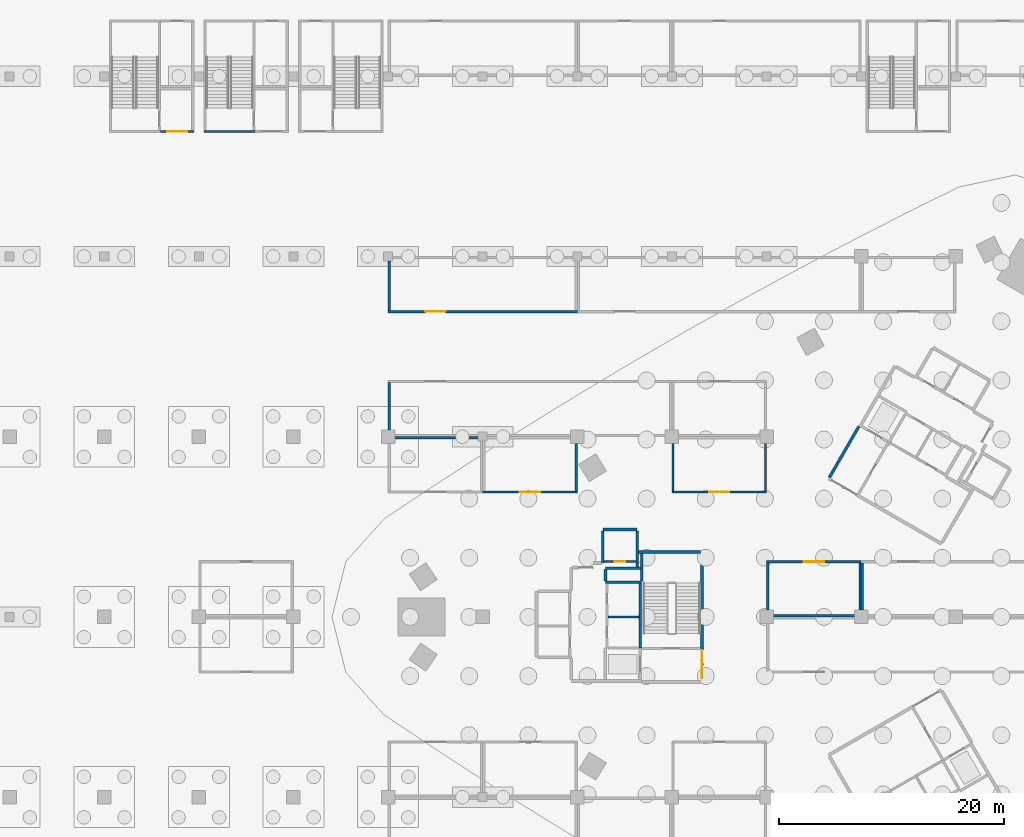
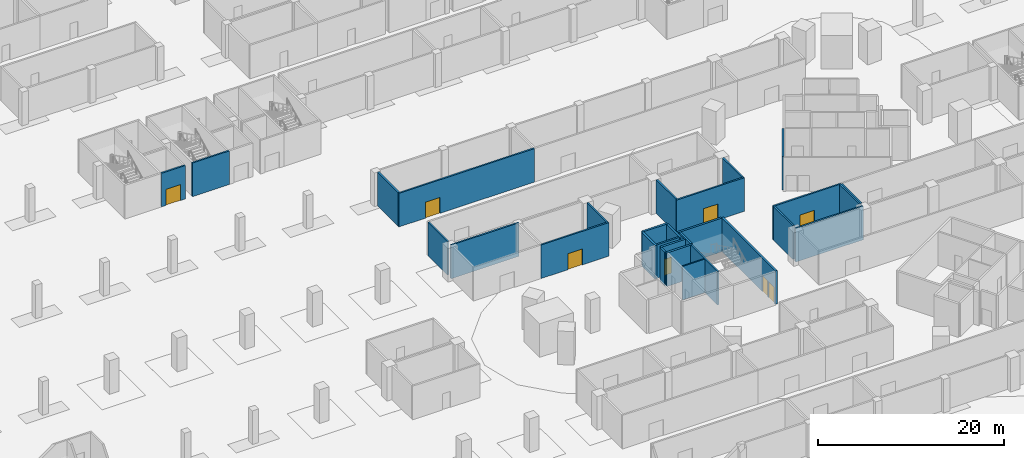
# One storey, part 14 of 46: 30 walls, 8 doors, 8 openings.
"""IFC4 building model written with IfcOpenShell, lengths in metres."""

from ifc_helpers import new_model, si_unit, direction, frame, frame_2d, origin, place, context, subcontext, project, spatial, rectangle, extrude, material, layer, layer_set, type_object, element, fill, save


model = new_model("IFC4")

# Units and contexts
model_context = context("Model", 3, precision=1e-05, world=origin(), true_north=direction((0.0, 1.0)))
body_context = subcontext(model_context, "Body", "Model", "MODEL_VIEW")
ifc_project = project(units=[si_unit("LENGTHUNIT", "METRE"), si_unit("AREAUNIT", "SQUARE_METRE"), si_unit("VOLUMEUNIT", "CUBIC_METRE"), si_unit("PLANEANGLEUNIT", "RADIAN"), si_unit("MASSUNIT", "GRAM", prefix="KILO")], contexts=[model_context])

# Site, building, storey
site_placement = place(None, origin())
site = spatial("IfcSite", under=ifc_project, at=site_placement, CompositionType="ELEMENT")
building_placement = place(site_placement, origin())
building = spatial("IfcBuilding", under=site, at=building_placement, Name="Tamra Quay Hotel Tower", CompositionType="ELEMENT")
storey_placement = place(building_placement, frame((0.0, 0.0, -12.0)))
storey = spatial("IfcBuildingStorey", under=building, at=storey_placement, Name="B3", CompositionType="ELEMENT", Elevation=-12.0)

# Wall
ifc_material_1 = material(Name="Blockwork", Category="masonry")
ifc_layer_1 = layer(ifc_material_1, 0.199951171875)
ifc_layer_set_1 = layer_set([ifc_layer_1], Name="Car park room wall 200")
wall_type_1 = type_object("IfcWallType", Name="Car park room wall 200", PredefinedType="PARTITIONING", material=ifc_layer_set_1)
wall_1_placement = place(storey_placement, frame((-5.10009765625, 0.10009765625, 0.0), z_axis=(0.0, 0.0, 1.0), x_axis=(1.0, 0.0, 0.0)))
element("IfcWall", 1, at=wall_1_placement, inside=storey, type_object=wall_type_1, Name="PW", PredefinedType="PARTITIONING", context=body_context, shape_type="SweptSolid", body=[
    extrude(rectangle(XDim=8.400146484375, YDim=0.199951171875, at=frame_2d((4.2001953125, 0.0))), origin(), (0.0, 0.0, 1.0), 4.39990234375),
])

# Wall, opening, door
wall_2_placement = place(storey_placement, frame((-5.10009765625, 4.89990234375, 0.0), z_axis=(0.0, 0.0, 1.0), x_axis=(1.0, 0.0, 0.0)))
wall_2 = element("IfcWall", 2, at=wall_2_placement, inside=storey, type_object=wall_type_1, Name="PW", PredefinedType="PARTITIONING", context=body_context, shape_type="SweptSolid", body=[
    extrude(rectangle(XDim=8.400146484375, YDim=0.199951171875, at=frame_2d((4.2001953125, 0.0))), origin(), (0.0, 0.0, 1.0), 4.39990234375),
])
opening_1_placement = place(wall_2_placement, frame((3.300048828125, 0.0, 0.0)))
opening_1 = element("IfcOpeningElement", 3, at=opening_1_placement, cuts=wall_2, Name="Opening PD2", PredefinedType="OPENING", context=body_context, shape_type="SweptSolid", body=[
    extrude(rectangle(XDim=1.800048828125, YDim=2.10009765625, at=frame_2d((0.89990234375, 1.050048828125))), frame((0.0, 0.10986328125, 0.0), z_axis=(0.0, -1.0, 0.0), x_axis=(1.0, 0.0, 0.0)), (0.0, 0.0, 1.0), 0.219970703125),
])
ifc_material_2 = material(Name="Plant door 1800 x 2100")
door_type_1 = type_object("IfcDoorType", Name="Plant door 1800 x 2100", OperationType="DOUBLE_DOOR_SINGLE_SWING", PredefinedType="DOOR", material=ifc_material_2)
door_1_placement = place(opening_1_placement, origin())
door_1 = element("IfcDoor", 4, at=door_1_placement, inside=storey, type_object=door_type_1, Name="PD2", OperationType="DOUBLE_DOOR_SINGLE_SWING", OverallHeight=2.10009765625, OverallWidth=1.800048828125, PredefinedType="DOOR", context=body_context, shape_type="SweptSolid", body=[
    extrude(rectangle(XDim=1.800048828125, YDim=2.10009765625, at=frame_2d((0.89990234375, 1.050048828125))), frame((0.0, 0.02490234375, 0.0), z_axis=(0.0, -1.0, 0.0), x_axis=(1.0, 0.0, 0.0)), (0.0, 0.0, 1.0), 0.050048828125),
])
fill(opening_1, door_1)

# Walls
for number, where, z_axis, x_axis, name in (
    (5, (-5.0, 0.60009765625, 0.0), (0.0, 0.0, 1.0), (0.0, 1.0, 0.0), "PW"),
    (6, (3.199951171875, 0.60009765625, 0.0), (0.0, 0.0, 1.0), (0.0, 1.0, 0.0), "PW"),
    (7, (3.39990234375, 0.60009765625, 0.0), (0.0, 0.0, 1.0), (0.0, 1.0, 0.0), "PW"),
):
    element("IfcWall", number, at=place(storey_placement, frame(where, z_axis=z_axis, x_axis=x_axis)), inside=storey, type_object=wall_type_1, Name=name, PredefinedType="PARTITIONING", context=body_context, shape_type="SweptSolid", body=[
        extrude(rectangle(XDim=4.199951171875, YDim=0.199951171875, at=frame_2d((2.10009765625, 0.0))), origin(), (0.0, 0.0, 1.0), 4.39990234375),
    ])
wall_3_placement = place(storey_placement, frame((-38.699951171875, 15.89990234375, 0.0), z_axis=(0.0, 0.0, 1.0), x_axis=(1.0, 0.0, 0.0)))
element("IfcWall", 8, at=wall_3_placement, inside=storey, type_object=wall_type_1, Name="PW", PredefinedType="PARTITIONING", context=body_context, shape_type="SweptSolid", body=[
    extrude(rectangle(XDim=8.39990234375, YDim=0.199951171875, at=frame_2d((4.199951171875, 0.0))), origin(), (0.0, 0.0, 1.0), 4.39990234375),
])

# Wall, opening, door
wall_4_placement = place(storey_placement, frame((-30.300048828125, 11.10009765625, 0.0), z_axis=(0.0, 0.0, 1.0), x_axis=(1.0, 0.0, 0.0)))
wall_4 = element("IfcWall", 9, at=wall_4_placement, inside=storey, type_object=wall_type_1, Name="PW", PredefinedType="PARTITIONING", context=body_context, shape_type="SweptSolid", body=[
    extrude(rectangle(XDim=8.400146484375, YDim=0.199951171875, at=frame_2d((4.2001953125, 0.0))), origin(), (0.0, 0.0, 1.0), 4.39990234375),
])
opening_2_placement = place(wall_4_placement, frame((3.300048828125, 0.0, 0.0)))
opening_2 = element("IfcOpeningElement", 10, at=opening_2_placement, cuts=wall_4, Name="Opening PD2", PredefinedType="OPENING", context=body_context, shape_type="SweptSolid", body=[
    extrude(rectangle(XDim=1.800048828125, YDim=2.10009765625, at=frame_2d((0.89990234375, 1.050048828125))), frame((0.0, 0.10986328125, 0.0), z_axis=(0.0, -1.0, 0.0), x_axis=(1.0, 0.0, 0.0)), (0.0, 0.0, 1.0), 0.219970703125),
])
door_2_placement = place(opening_2_placement, origin())
door_2 = element("IfcDoor", 11, at=door_2_placement, inside=storey, type_object=door_type_1, Name="PD2", OperationType="DOUBLE_DOOR_SINGLE_SWING", OverallHeight=2.10009765625, OverallWidth=1.800048828125, PredefinedType="DOOR", context=body_context, shape_type="SweptSolid", body=[
    extrude(rectangle(XDim=1.800048828125, YDim=2.10009765625, at=frame_2d((0.89990234375, 1.050048828125))), frame((0.0, 0.02490234375, 0.0), z_axis=(0.0, -1.0, 0.0), x_axis=(1.0, 0.0, 0.0)), (0.0, 0.0, 1.0), 0.050048828125),
])
fill(opening_2, door_2)

# Wall
wall_5_placement = place(storey_placement, frame((-22.0, 11.199951171875, 0.0), z_axis=(0.0, 0.0, 1.0), x_axis=(0.0, 1.0, 0.0)))
element("IfcWall", 12, at=wall_5_placement, inside=storey, type_object=wall_type_1, Name="PW", PredefinedType="PARTITIONING", context=body_context, shape_type="SweptSolid", body=[
    extrude(rectangle(XDim=4.199951171875, YDim=0.199951171875, at=frame_2d((2.10009765625, 0.0))), origin(), (0.0, 0.0, 1.0), 4.39990234375),
])

# Wall, opening, door
wall_6_placement = place(storey_placement, frame((-13.5, 11.10009765625, 0.0), z_axis=(0.0, 0.0, 1.0), x_axis=(1.0, 0.0, 0.0)))
wall_6 = element("IfcWall", 13, at=wall_6_placement, inside=storey, type_object=wall_type_1, Name="PW", PredefinedType="PARTITIONING", context=body_context, shape_type="SweptSolid", body=[
    extrude(rectangle(XDim=8.39990234375, YDim=0.199951171875, at=frame_2d((4.199951171875, 0.0))), origin(), (0.0, 0.0, 1.0), 4.39990234375),
])
opening_3_placement = place(wall_6_placement, frame((3.300048828125, 0.0, 0.0)))
opening_3 = element("IfcOpeningElement", 14, at=opening_3_placement, cuts=wall_6, Name="Opening PD2", PredefinedType="OPENING", context=body_context, shape_type="SweptSolid", body=[
    extrude(rectangle(XDim=1.800048828125, YDim=2.10009765625, at=frame_2d((0.89990234375, 1.050048828125))), frame((0.0, 0.10986328125, 0.0), z_axis=(0.0, -1.0, 0.0), x_axis=(1.0, 0.0, 0.0)), (0.0, 0.0, 1.0), 0.219970703125),
])
door_3_placement = place(opening_3_placement, origin())
door_3 = element("IfcDoor", 15, at=door_3_placement, inside=storey, type_object=door_type_1, Name="PD2", OperationType="DOUBLE_DOOR_SINGLE_SWING", OverallHeight=2.10009765625, OverallWidth=1.800048828125, PredefinedType="DOOR", context=body_context, shape_type="SweptSolid", body=[
    extrude(rectangle(XDim=1.800048828125, YDim=2.10009765625, at=frame_2d((0.89990234375, 1.050048828125))), frame((0.0, 0.02490234375, 0.0), z_axis=(0.0, -1.0, 0.0), x_axis=(1.0, 0.0, 0.0)), (0.0, 0.0, 1.0), 0.050048828125),
])
fill(opening_3, door_3)

# Walls
for number, where, z_axis, x_axis, name in (
    (16, (-13.39990234375, 11.199951171875, 0.0), (0.0, 0.0, 1.0), (0.0, 1.0, 0.0), "PW"),
    (17, (-5.199951171875, 11.199951171875, 0.0), (0.0, 0.0, 1.0), (0.0, 1.0, 0.0), "PW"),
    (18, (-38.60009765625, 16.60009765625, 0.0), (0.0, 0.0, 1.0), (0.0, 1.0, 0.0), "PW"),
):
    element("IfcWall", number, at=place(storey_placement, frame(where, z_axis=z_axis, x_axis=x_axis)), inside=storey, type_object=wall_type_1, Name=name, PredefinedType="PARTITIONING", context=body_context, shape_type="SweptSolid", body=[
        extrude(rectangle(XDim=4.199951171875, YDim=0.199951171875, at=frame_2d((2.10009765625, 0.0))), origin(), (0.0, 0.0, 1.0), 4.39990234375),
    ])

# Wall, opening, door
wall_7_placement = place(storey_placement, frame((-38.699951171875, 27.10009765625, 0.0), z_axis=(0.0, 0.0, 1.0), x_axis=(1.0, 0.0, 0.0)))
wall_7 = element("IfcWall", 19, at=wall_7_placement, inside=storey, type_object=wall_type_1, Name="PW", PredefinedType="PARTITIONING", context=body_context, shape_type="SweptSolid", body=[
    extrude(rectangle(XDim=16.800048828125, YDim=0.199951171875, at=frame_2d((8.39990234375, 0.0))), origin(), (0.0, 0.0, 1.0), 4.39990234375),
])
opening_4_placement = place(wall_7_placement, frame((3.300048828125, 0.0, 0.0)))
opening_4 = element("IfcOpeningElement", 20, at=opening_4_placement, cuts=wall_7, Name="Opening PD2", PredefinedType="OPENING", context=body_context, shape_type="SweptSolid", body=[
    extrude(rectangle(XDim=1.800048828125, YDim=2.10009765625, at=frame_2d((0.89990234375, 1.050048828125))), frame((0.0, 0.10986328125, 0.0), z_axis=(0.0, -1.0, 0.0), x_axis=(1.0, 0.0, 0.0)), (0.0, 0.0, 1.0), 0.219970703125),
])
door_4_placement = place(opening_4_placement, origin())
door_4 = element("IfcDoor", 21, at=door_4_placement, inside=storey, type_object=door_type_1, Name="PD2", OperationType="DOUBLE_DOOR_SINGLE_SWING", OverallHeight=2.10009765625, OverallWidth=1.800048828125, PredefinedType="DOOR", context=body_context, shape_type="SweptSolid", body=[
    extrude(rectangle(XDim=1.800048828125, YDim=2.10009765625, at=frame_2d((0.89990234375, 1.050048828125))), frame((0.0, 0.02490234375, 0.0), z_axis=(0.0, -1.0, 0.0), x_axis=(1.0, 0.0, 0.0)), (0.0, 0.0, 1.0), 0.050048828125),
])
fill(opening_4, door_4)

# Wall
wall_8_placement = place(storey_placement, frame((-38.60009765625, 27.199951171875, 0.0), z_axis=(0.0, 0.0, 1.0), x_axis=(0.0, 1.0, 0.0)))
element("IfcWall", 22, at=wall_8_placement, inside=storey, type_object=wall_type_1, Name="PW", PredefinedType="PARTITIONING", context=body_context, shape_type="SweptSolid", body=[
    extrude(rectangle(XDim=4.400146484375, YDim=0.199951171875, at=frame_2d((2.2001953125, 0.0))), origin(), (0.0, 0.0, 1.0), 4.39990234375),
])

# Wall, opening, door
wall_9_placement = place(storey_placement, frame((-58.89990234375, 43.10009765625, 0.0), z_axis=(0.0, 0.0, 1.0), x_axis=(1.0, 0.0, 0.0)))
wall_9 = element("IfcWall", 23, at=wall_9_placement, inside=storey, type_object=wall_type_1, Name="PW", PredefinedType="PARTITIONING", context=body_context, shape_type="SweptSolid", body=[
    extrude(rectangle(XDim=2.949951171875, YDim=0.199951171875, at=frame_2d((1.47509765625, 0.0))), origin(), (0.0, 0.0, 1.0), 4.39990234375),
])
opening_5_placement = place(wall_9_placement, frame((0.574951171875, 0.0, 0.0)))
opening_5 = element("IfcOpeningElement", 24, at=opening_5_placement, cuts=wall_9, Name="Opening PD2", PredefinedType="OPENING", context=body_context, shape_type="SweptSolid", body=[
    extrude(rectangle(XDim=1.800048828125, YDim=2.10009765625, at=frame_2d((0.89990234375, 1.050048828125))), frame((0.0, 0.10986328125, 0.0), z_axis=(0.0, -1.0, 0.0), x_axis=(1.0, 0.0, 0.0)), (0.0, 0.0, 1.0), 0.219970703125),
])
door_5_placement = place(opening_5_placement, origin())
door_5 = element("IfcDoor", 25, at=door_5_placement, inside=storey, type_object=door_type_1, Name="PD2", OperationType="DOUBLE_DOOR_SINGLE_SWING", OverallHeight=2.10009765625, OverallWidth=1.800048828125, PredefinedType="DOOR", context=body_context, shape_type="SweptSolid", body=[
    extrude(rectangle(XDim=1.800048828125, YDim=2.10009765625, at=frame_2d((0.89990234375, 1.050048828125))), frame((0.0, 0.02490234375, 0.0), z_axis=(0.0, -1.0, 0.0), x_axis=(1.0, 0.0, 0.0)), (0.0, 0.0, 1.0), 0.050048828125),
])
fill(opening_5, door_5)

# Wall
ifc_material_3 = material(Name="Concrete M70", Category="concrete")
ifc_layer_2 = layer(ifc_material_3, 0.199951171875)
ifc_layer_set_2 = layer_set([ifc_layer_2], Name="Concrete M70 core wall 200")
wall_type_2 = type_object("IfcWallType", Name="Concrete M70 core wall 200", PredefinedType="SHEAR", material=ifc_layer_set_2)
wall_10_placement = place(storey_placement, frame((-16.3125, -2.75, 0.0), z_axis=(0.0, 0.0, 1.0), x_axis=(0.0, 1.0, 0.0)))
element("IfcWall", 26, at=wall_10_placement, inside=storey, type_object=wall_type_2, Name="CW2", PredefinedType="SHEAR", context=body_context, shape_type="SweptSolid", body=[
    extrude(rectangle(XDim=5.698974609375, YDim=0.199951171875, at=frame_2d((2.849609375, 0.0))), origin(), (0.0, 0.0, 1.0), 4.39990234375),
])

# Wall, opening, door
wall_11_placement = place(storey_placement, frame((-19.51123046875, 4.91015625, 0.0), z_axis=(0.0, 0.0, 1.0), x_axis=(1.0, 0.0, 0.0)))
wall_11 = element("IfcWall", 27, at=wall_11_placement, inside=storey, type_object=wall_type_2, Name="CW2", PredefinedType="SHEAR", context=body_context, shape_type="SweptSolid", body=[
    extrude(rectangle(XDim=2.7978515625, YDim=0.199951171875, at=frame_2d((1.39892578125, 0.0))), origin(), (0.0, 0.0, 1.0), 4.39990234375),
])
opening_6_placement = place(wall_11_placement, frame((0.948974609375, 0.0, 0.0)))
opening_6 = element("IfcOpeningElement", 28, at=opening_6_placement, cuts=wall_11, Name="Opening D1", PredefinedType="OPENING", context=body_context, shape_type="SweptSolid", body=[
    extrude(rectangle(XDim=0.89990234375, YDim=2.10009765625, at=frame_2d((0.449951171875, 1.050048828125))), frame((0.0, 0.10986328125, 0.0), z_axis=(0.0, -1.0, 0.0), x_axis=(1.0, 0.0, 0.0)), (0.0, 0.0, 1.0), 0.219970703125),
])
ifc_material_4 = material(Name="Core door D1 900x2100 LH")
door_type_2 = type_object("IfcDoorType", Name="Core door D1 900x2100 LH", OperationType="NOTDEFINED", PredefinedType="DOOR", material=ifc_material_4)
door_6_placement = place(opening_6_placement, origin())
door_6 = element("IfcDoor", 29, at=door_6_placement, inside=storey, type_object=door_type_2, Name="D1", OperationType="SINGLE_SWING_LEFT", OverallHeight=2.10009765625, OverallWidth=0.89990234375, PredefinedType="DOOR", context=body_context, shape_type="SweptSolid", body=[
    extrude(rectangle(XDim=0.89990234375, YDim=2.10009765625, at=frame_2d((0.449951171875, 1.050048828125))), frame((0.0, 0.02490234375, 0.0), z_axis=(0.0, -1.0, 0.0), x_axis=(1.0, 0.0, 0.0)), (0.0, 0.0, 1.0), 0.050048828125),
])
fill(opening_6, door_6)

# Wall, openings, doors
ifc_layer_3 = layer(ifc_material_3, 0.25)
ifc_layer_set_3 = layer_set([ifc_layer_3], Name="Concrete M70 core wall 250")
wall_type_3 = type_object("IfcWallType", Name="Concrete M70 core wall 250", PredefinedType="SHEAR", material=ifc_layer_set_3)
wall_12_placement = place(storey_placement, frame((-10.83740234375, 5.77490234375, 0.0), z_axis=(0.0, 0.0, 1.0), x_axis=(0.0, -1.0, 0.0)))
wall_12 = element("IfcWall", 30, at=wall_12_placement, inside=storey, type_object=wall_type_3, Name="CW1", PredefinedType="SHEAR", context=body_context, shape_type="SweptSolid", body=[
    extrude(rectangle(XDim=11.5498046875, YDim=0.25, at=frame_2d((5.77490234375, 0.0))), origin(), (0.0, 0.0, 1.0), 4.39990234375),
])
opening_7_placement = place(wall_12_placement, frame((10.02490234375, 0.0, 0.0)))
opening_7 = element("IfcOpeningElement", 31, at=opening_7_placement, cuts=wall_12, Name="Opening FD1", PredefinedType="OPENING", context=body_context, shape_type="SweptSolid", body=[
    extrude(rectangle(XDim=1.199951171875, YDim=2.10009765625, at=frame_2d((0.60009765625, 1.050048828125))), frame((0.0, 0.135009765625, 0.0), z_axis=(0.0, -1.0, 0.0), x_axis=(1.0, 0.0, 0.0)), (0.0, 0.0, 1.0), 0.27001953125),
])
opening_8_placement = place(wall_12_placement, frame((8.72509765625, 0.0, 0.0)))
opening_8 = element("IfcOpeningElement", 32, at=opening_8_placement, cuts=wall_12, Name="Opening FD1", PredefinedType="OPENING", context=body_context, shape_type="SweptSolid", body=[
    extrude(rectangle(XDim=1.199951171875, YDim=2.10009765625, at=frame_2d((0.60009765625, 1.050048828125))), frame((0.0, 0.135009765625, 0.0), z_axis=(0.0, -1.0, 0.0), x_axis=(1.0, 0.0, 0.0)), (0.0, 0.0, 1.0), 0.27001953125),
])
ifc_material_5 = material(Name="Core door FD1 1200x2100 LH")
door_type_3 = type_object("IfcDoorType", Name="Core door FD1 1200x2100 LH", OperationType="NOTDEFINED", PredefinedType="DOOR", material=ifc_material_5)
door_7_placement = place(opening_7_placement, origin())
door_7 = element("IfcDoor", 33, at=door_7_placement, inside=storey, type_object=door_type_3, Name="FD1", OperationType="SINGLE_SWING_LEFT", OverallHeight=2.10009765625, OverallWidth=1.199951171875, PredefinedType="DOOR", context=body_context, shape_type="SweptSolid", body=[
    extrude(rectangle(XDim=1.199951171875, YDim=2.10009765625, at=frame_2d((0.60009765625, 1.050048828125))), frame((0.0, 0.02490234375, 0.0), z_axis=(0.0, -1.0, 0.0), x_axis=(1.0, 0.0, 0.0)), (0.0, 0.0, 1.0), 0.050048828125),
])
fill(opening_7, door_7)
ifc_material_6 = material(Name="Core door FD1 1200x2100 RH")
door_type_4 = type_object("IfcDoorType", Name="Core door FD1 1200x2100 RH", OperationType="NOTDEFINED", PredefinedType="DOOR", material=ifc_material_6)
door_8_placement = place(opening_8_placement, origin())
door_8 = element("IfcDoor", 34, at=door_8_placement, inside=storey, type_object=door_type_4, Name="FD1", OperationType="SINGLE_SWING_RIGHT", OverallHeight=2.10009765625, OverallWidth=1.199951171875, PredefinedType="DOOR", context=body_context, shape_type="SweptSolid", body=[
    extrude(rectangle(XDim=1.199951171875, YDim=2.10009765625, at=frame_2d((0.60009765625, 1.050048828125))), frame((0.0, 0.02490234375, 0.0), z_axis=(0.0, -1.0, 0.0), x_axis=(1.0, 0.0, 0.0)), (0.0, 0.0, 1.0), 0.050048828125),
])
fill(opening_8, door_8)

# Walls
wall_13_placement = place(storey_placement, frame((-16.47216796875, 5.77490234375, 0.0), z_axis=(0.0, 0.0, 1.0), x_axis=(1.0, 0.0, 0.0)))
element("IfcWall", 35, at=wall_13_placement, inside=storey, type_object=wall_type_3, Name="CW1", PredefinedType="SHEAR", context=body_context, shape_type="SweptSolid", body=[
    extrude(rectangle(XDim=5.509521484375, YDim=0.25, at=frame_2d((2.7548828125, 0.0))), origin(), (0.0, 0.0, 1.0), 4.39990234375),
])
wall_14_placement = place(storey_placement, frame((-19.38720703125, 3.074951171875, 0.0), z_axis=(0.0, 0.0, 1.0), x_axis=(1.0, 0.0, 0.0)))
element("IfcWall", 36, at=wall_14_placement, inside=storey, type_object=wall_type_3, Name="CW1", PredefinedType="SHEAR", context=body_context, shape_type="SweptSolid", body=[
    extrude(rectangle(XDim=3.199951171875, YDim=0.25, at=frame_2d((1.60009765625, 0.0))), origin(), (0.0, 0.0, 1.0), 4.39990234375),
])
wall_15_placement = place(storey_placement, frame((-19.63720703125, 7.77490234375, 0.0), z_axis=(0.0, 0.0, 1.0), x_axis=(1.0, 0.0, 0.0)))
element("IfcWall", 37, at=wall_15_placement, inside=storey, type_object=wall_type_3, Name="CW1", PredefinedType="SHEAR", context=body_context, shape_type="SweptSolid", body=[
    extrude(rectangle(XDim=3.0498046875, YDim=0.25, at=frame_2d((1.52490234375, 0.0))), origin(), (0.0, 0.0, 1.0), 4.39990234375),
])
for number, where, z_axis, x_axis, name in (
    (38, (-16.58740234375, 7.649658203125, 0.0), (0.0, 0.0, 1.0), (0.0, -1.0, 0.0), "CW1"),
    (39, (-19.63720703125, 4.784912109375, 0.0), (0.0, 0.0, 1.0), (0.0, 1.0, 0.0), "CW1"),
):
    element("IfcWall", number, at=place(storey_placement, frame(where, z_axis=z_axis, x_axis=x_axis)), inside=storey, type_object=wall_type_3, Name=name, PredefinedType="SHEAR", context=body_context, shape_type="SweptSolid", body=[
        extrude(rectangle(XDim=2.86474609375, YDim=0.25, at=frame_2d((1.432373046875, 0.0))), origin(), (0.0, 0.0, 1.0), 4.39990234375),
    ])
wall_16_placement = place(storey_placement, frame((-16.30224609375, 4.31494140625, 0.0), z_axis=(0.0, 0.0, 1.0), x_axis=(-1.0, 0.0, 0.0)))
element("IfcWall", 40, at=wall_16_placement, inside=storey, type_object=wall_type_3, Name="CW1", PredefinedType="SHEAR", context=body_context, shape_type="SweptSolid", body=[
    extrude(rectangle(XDim=3.0849609375, YDim=0.25, at=frame_2d((1.54248046875, 0.0))), origin(), (0.0, 0.0, 1.0), 4.39990234375),
])
wall_17_placement = place(storey_placement, frame((-16.187255859375, 3.200439453125, 0.0), z_axis=(0.0, 0.0, 1.0), x_axis=(0.0, 1.0, 0.0)))
element("IfcWall", 41, at=wall_17_placement, inside=storey, type_object=wall_type_3, Name="CW1", PredefinedType="SHEAR", context=body_context, shape_type="SweptSolid", body=[
    extrude(rectangle(XDim=2.44921875, YDim=0.25, at=frame_2d((1.224609375, 0.0))), origin(), (0.0, 0.0, 1.0), 4.39990234375),
])
wall_18_placement = place(storey_placement, frame((-19.38720703125, 4.189697265625, 0.0), z_axis=(0.0, 0.0, 1.0), x_axis=(0.0, -1.0, 0.0)))
element("IfcWall", 42, at=wall_18_placement, inside=storey, type_object=wall_type_3, Name="CW1", PredefinedType="SHEAR", context=body_context, shape_type="SweptSolid", body=[
    extrude(rectangle(XDim=0.9892578125, YDim=0.25, at=frame_2d((0.49462890625, 0.0))), origin(), (0.0, 0.0, 1.0), 4.39990234375),
])
wall_19_placement = place(storey_placement, frame((-16.577392578125, 4.784912109375, 0.0), z_axis=(0.0, 0.0, 1.0), x_axis=(0.0, -1.0, 0.0)))
element("IfcWall", 43, at=wall_19_placement, inside=storey, type_object=wall_type_3, Name="CW1", PredefinedType="SHEAR", context=body_context, shape_type="SweptSolid", body=[
    extrude(rectangle(XDim=0.344482421875, YDim=0.25, at=frame_2d((0.17236328125, 0.0))), origin(), (0.0, 0.0, 1.0), 4.39990234375),
])
wall_20_placement = place(storey_placement, frame((0.47998046875, 12.38134765625, 0.0), z_axis=(0.0, 0.0, 1.0), x_axis=(0.49999885962, 0.866026062182, 0.0)))
element("IfcWall", 44, at=wall_20_placement, inside=storey, type_object=wall_type_3, Name="CW1", PredefinedType="SHEAR", context=body_context, shape_type="SweptSolid", body=[
    extrude(rectangle(XDim=5.224609375, YDim=0.25, at=frame_2d((2.6123046875, 0.0))), origin(), (0.0, 0.0, 1.0), 4.39990234375),
])
ifc_layer_4 = layer(ifc_material_3, 0.199951171875)
ifc_layer_set_4 = layer_set([ifc_layer_4], Name="Concrete M70 stair enclosure wall 200")
wall_type_4 = type_object("IfcWallType", Name="Concrete M70 stair enclosure wall 200", PredefinedType="SOLIDWALL", material=ifc_layer_set_4)
wall_21_placement = place(storey_placement, frame((-50.5, 43.10009765625, 0.0), z_axis=(0.0, 0.0, 1.0), x_axis=(-1.0, 0.0, 0.0)))
element("IfcWall", 45, at=wall_21_placement, inside=storey, type_object=wall_type_4, Name="SEW", PredefinedType="SOLIDWALL", context=body_context, shape_type="SweptSolid", body=[
    extrude(rectangle(XDim=4.550048828125, YDim=0.199951171875, at=frame_2d((2.27490234375, 0.0))), origin(), (0.0, 0.0, 1.0), 4.39990234375),
])
ifc_layer_5 = layer(ifc_material_1, 0.14990234375)
ifc_layer_set_5 = layer_set([ifc_layer_5], Name="Core partition block 150")
wall_type_5 = type_object("IfcWallType", Name="Core partition block 150", PredefinedType="PARTITIONING", material=ifc_layer_set_5)
wall_22_placement = place(storey_placement, frame((-16.4130859375, 0.0, 0.0), z_axis=(0.0, 0.0, 1.0), x_axis=(-1.0, 0.0, 0.0)))
element("IfcWall", 46, at=wall_22_placement, inside=storey, type_object=wall_type_5, Name="CP1", PredefinedType="PARTITIONING", context=body_context, shape_type="SweptSolid", body=[
    extrude(rectangle(XDim=2.74853515625, YDim=0.14990234375, at=frame_2d((1.374267578125, 0.0))), origin(), (0.0, 0.0, 1.0), 4.39990234375),
])

save(model, "model.ifc")
